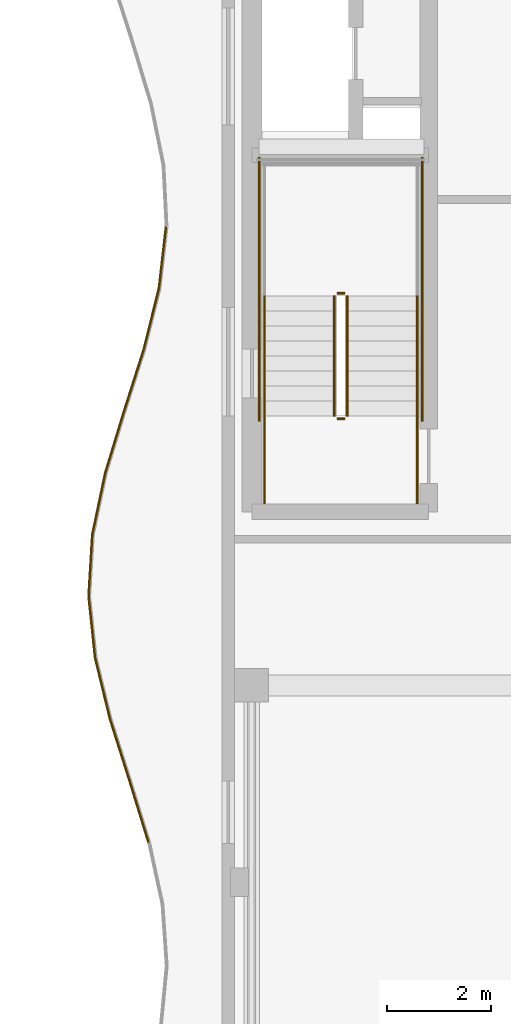
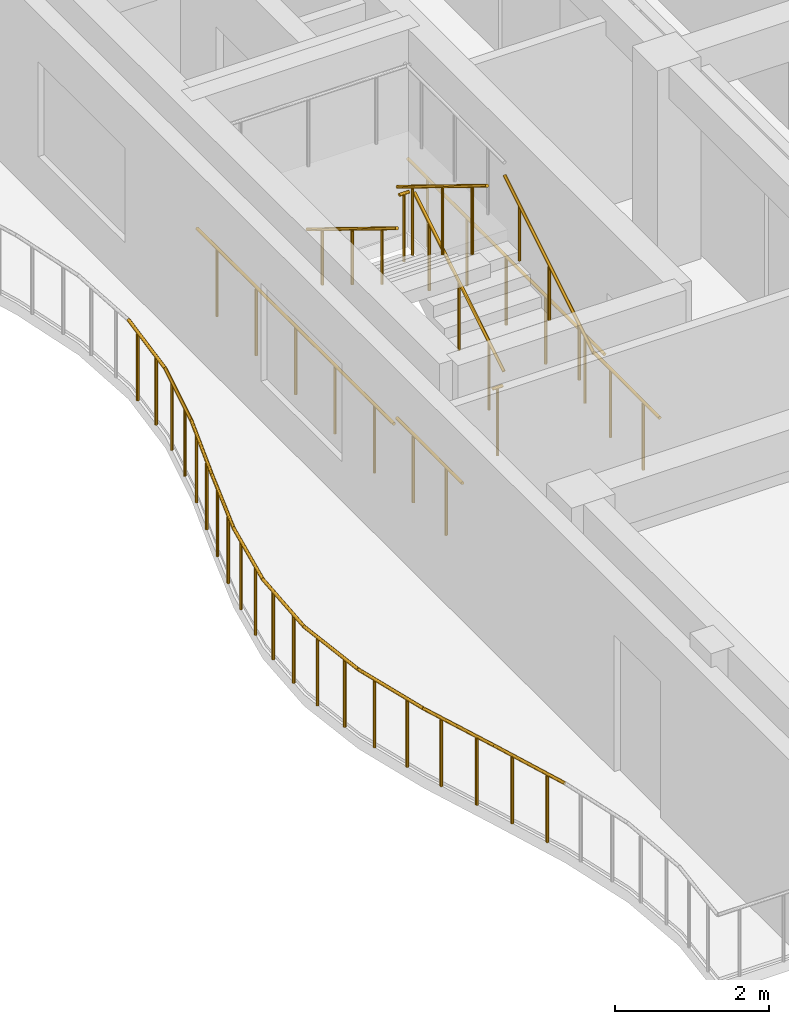
# One storey, part 67 of 89: 20 railings.
"""IFC4 building model written with IfcOpenShell, lengths in metres."""

from ifc_helpers import new_model, si_unit, direction, frame, origin, origin_2d, place, context, subcontext, project, spatial, circle, extrude, material, type_object, element, save


model = new_model("IFC4")

# Units and contexts
model_context = context("Model", 3, precision=1e-05, world=origin(), true_north=direction((0.0, 1.0)))
body_context = subcontext(model_context, "Body", "Model", "MODEL_VIEW")
ifc_project = project(units=[si_unit("LENGTHUNIT", "METRE"), si_unit("AREAUNIT", "SQUARE_METRE"), si_unit("VOLUMEUNIT", "CUBIC_METRE"), si_unit("PLANEANGLEUNIT", "RADIAN"), si_unit("MASSUNIT", "GRAM", prefix="KILO")], contexts=[model_context])

# Site, building, storey
site_placement = place(None, origin())
site = spatial("IfcSite", under=ifc_project, at=site_placement, CompositionType="ELEMENT")
building_placement = place(site_placement, origin())
building = spatial("IfcBuilding", under=site, at=building_placement, Name="Keldmere Railside Commons", CompositionType="ELEMENT")
storey_placement = place(building_placement, frame((0.0, 0.0, 7.360107421875)))
storey = spatial("IfcBuildingStorey", under=building, at=storey_placement, Name="L02", CompositionType="ELEMENT", Elevation=7.360107421875)

# Railings
ifc_material = material(Name="Steel F-24 (S235)", Category="steel")
railing_type_1 = type_object("IfcRailingType", Name="Balcony & Terrace Steel Balustrade 1100", PredefinedType="BALUSTRADE", material=ifc_material)
railing_1_placement = place(storey_placement, frame((46.458984375, 60.966796875, 0.0)))
element("IfcRailing", 1, at=railing_1_placement, inside=storey, type_object=railing_type_1, Name="GR-1 GRD-L02-0984", PredefinedType="BALUSTRADE", context=body_context, shape_type="SweptSolid", body=[
    extrude(circle(Radius=0.02392578125, at=origin_2d()), frame((0.0, 0.0, 1.076171875), z_axis=(-0.293878918588, 0.955842655048, 0.0), x_axis=(-0.955842655048, -0.293878918588, 0.0)), (0.0, 0.0, 1.0), 1.24365234375),
    extrude(circle(Radius=0.02099609375, at=origin_2d()), frame((-0.09130859375, 0.297119140625, 0.0)), (0.0, 0.0, 1.0), 1.048095703125),
    extrude(circle(Radius=0.02099609375, at=origin_2d()), frame((-0.274169921875, 0.8916015625, 0.0)), (0.0, 0.0, 1.0), 1.048095703125),
])
railing_2_placement = place(storey_placement, frame((46.093505859375, 62.155517578125, 0.0)))
element("IfcRailing", 2, at=railing_2_placement, inside=storey, type_object=railing_type_1, Name="GR-1 GRD-L02-0985", PredefinedType="BALUSTRADE", context=body_context, shape_type="SweptSolid", body=[
    extrude(circle(Radius=0.02392578125, at=origin_2d()), frame((0.0, 0.0, 1.076171875), z_axis=(-0.302039957934, 0.953295265807, 0.0), x_axis=(-0.953295265807, -0.302039957934, 0.0)), (0.0, 0.0, 1.0), 1.247314453125),
    extrude(circle(Radius=0.02099609375, at=origin_2d()), frame((-0.09423828125, 0.29736328125, 0.0)), (0.0, 0.0, 1.0), 1.048095703125),
    extrude(circle(Radius=0.02099609375, at=origin_2d()), frame((-0.282470703125, 0.8916015625, 0.0)), (0.0, 0.0, 1.0), 1.048095703125),
])
railing_3_placement = place(storey_placement, frame((45.716796875, 63.344482421875, 0.0)))
element("IfcRailing", 3, at=railing_3_placement, inside=storey, type_object=railing_type_1, Name="GR-1 GRD-L02-0986", PredefinedType="BALUSTRADE", context=body_context, shape_type="SweptSolid", body=[
    extrude(circle(Radius=0.02392578125, at=origin_2d()), frame((0.0, 0.0, 1.076171875), z_axis=(-0.236473788088, 0.971637868523, 0.0), x_axis=(-0.971637868523, -0.236473788088, 0.0)), (0.0, 0.0, 1.0), 1.223388671875),
    extrude(circle(Radius=0.02099609375, at=origin_2d()), frame((-0.072265625, 0.297119140625, 0.0)), (0.0, 0.0, 1.0), 1.048095703125),
    extrude(circle(Radius=0.02099609375, at=origin_2d()), frame((-0.217041015625, 0.8916015625, 0.0)), (0.0, 0.0, 1.0), 1.048095703125),
])
railing_4_placement = place(storey_placement, frame((45.427490234375, 64.533203125, 0.0)))
element("IfcRailing", 4, at=railing_4_placement, inside=storey, type_object=railing_type_1, Name="GR-1 GRD-L02-0987", PredefinedType="BALUSTRADE", context=body_context, shape_type="SweptSolid", body=[
    extrude(circle(Radius=0.02392578125, at=origin_2d()), frame((0.0, 0.0, 1.076171875), z_axis=(-0.104961155994, 0.994476322359, 0.0), x_axis=(-0.994476322359, -0.104961155994, 0.0)), (0.0, 0.0, 1.0), 1.195556640625),
    extrude(circle(Radius=0.02099609375, at=origin_2d()), frame((-0.03125, 0.29736328125, 0.0)), (0.0, 0.0, 1.0), 1.048095703125),
    extrude(circle(Radius=0.02099609375, at=origin_2d()), frame((-0.09423828125, 0.8916015625, 0.0)), (0.0, 0.0, 1.0), 1.048095703125),
])
railing_5_placement = place(storey_placement, frame((45.302001953125, 65.72216796875, 0.0)))
element("IfcRailing", 5, at=railing_5_placement, inside=storey, type_object=railing_type_1, Name="GR-1 GRD-L02-0988", PredefinedType="BALUSTRADE", context=body_context, shape_type="SweptSolid", body=[
    extrude(circle(Radius=0.02392578125, at=origin_2d()), frame((0.0, 0.0, 1.076171875), z_axis=(0.059851443588, 0.998207295455, 0.0), x_axis=(-0.998207295455, 0.059851443588, 0.0)), (0.0, 0.0, 1.0), 1.191162109375),
    extrude(circle(Radius=0.02099609375, at=origin_2d()), frame((0.017822265625, 0.29736328125, 0.0)), (0.0, 0.0, 1.0), 1.048095703125),
    extrude(circle(Radius=0.02099609375, at=origin_2d()), frame((0.053466796875, 0.8916015625, 0.0)), (0.0, 0.0, 1.0), 1.048095703125),
])
railing_6_placement = place(storey_placement, frame((45.373291015625, 66.9111328125, 0.0)))
element("IfcRailing", 6, at=railing_6_placement, inside=storey, type_object=railing_type_1, Name="GR-1 GRD-L02-0989", PredefinedType="BALUSTRADE", context=body_context, shape_type="SweptSolid", body=[
    extrude(circle(Radius=0.02392578125, at=origin_2d()), frame((0.0, 0.0, 1.076171875), z_axis=(0.205382501043, 0.9786817809, 0.0), x_axis=(-0.9786817809, 0.205382501043, 0.0)), (0.0, 0.0, 1.0), 1.21484375),
    extrude(circle(Radius=0.02099609375, at=origin_2d()), frame((0.0625, 0.29736328125, 0.0)), (0.0, 0.0, 1.0), 1.048095703125),
    extrude(circle(Radius=0.02099609375, at=origin_2d()), frame((0.18701171875, 0.8916015625, 0.0)), (0.0, 0.0, 1.0), 1.048095703125),
])
railing_7_placement = place(storey_placement, frame((45.622802734375, 68.10009765625, 0.0)))
element("IfcRailing", 7, at=railing_7_placement, inside=storey, type_object=railing_type_1, Name="GR-1 GRD-L02-0990", PredefinedType="BALUSTRADE", context=body_context, shape_type="SweptSolid", body=[
    extrude(circle(Radius=0.02392578125, at=origin_2d()), frame((0.0, 0.0, 1.076171875), z_axis=(0.291185071058, 0.956666741553, 0.0), x_axis=(-0.956666741553, 0.291185071058, 0.0)), (0.0, 0.0, 1.0), 1.24267578125),
    extrude(circle(Radius=0.02099609375, at=origin_2d()), frame((0.09033203125, 0.297119140625, 0.0)), (0.0, 0.0, 1.0), 1.048095703125),
    extrude(circle(Radius=0.02099609375, at=origin_2d()), frame((0.271484375, 0.8916015625, 0.0)), (0.0, 0.0, 1.0), 1.048095703125),
])
railing_8_placement = place(storey_placement, frame((45.984619140625, 69.288818359375, 0.0)))
element("IfcRailing", 8, at=railing_8_placement, inside=storey, type_object=railing_type_1, Name="GR-1 GRD-L02-0991", PredefinedType="BALUSTRADE", context=body_context, shape_type="SweptSolid", body=[
    extrude(circle(Radius=0.02392578125, at=origin_2d()), frame((0.0, 0.0, 1.076171875), z_axis=(0.303817285872, 0.952730316934, 0.0), x_axis=(-0.952730316934, 0.303817285872, 0.0)), (0.0, 0.0, 1.0), 1.248046875),
    extrude(circle(Radius=0.02099609375, at=origin_2d()), frame((0.0947265625, 0.29736328125, 0.0)), (0.0, 0.0, 1.0), 1.048095703125),
    extrude(circle(Radius=0.02099609375, at=origin_2d()), frame((0.284423828125, 0.8916015625, 0.0)), (0.0, 0.0, 1.0), 1.048095703125),
])
railing_9_placement = place(storey_placement, frame((46.36376953125, 70.477783203125, 0.0)))
element("IfcRailing", 9, at=railing_9_placement, inside=storey, type_object=railing_type_1, Name="GR-1 GRD-L02-0992", PredefinedType="BALUSTRADE", context=body_context, shape_type="SweptSolid", body=[
    extrude(circle(Radius=0.02392578125, at=origin_2d()), frame((0.0, 0.0, 1.076171875), z_axis=(0.241879244421, 0.970306359414, 0.0), x_axis=(-0.970306359414, 0.241879244421, 0.0)), (0.0, 0.0, 1.0), 1.225341796875),
    extrude(circle(Radius=0.02099609375, at=origin_2d()), frame((0.07421875, 0.29736328125, 0.0)), (0.0, 0.0, 1.0), 1.048095703125),
    extrude(circle(Radius=0.02099609375, at=origin_2d()), frame((0.22216796875, 0.8916015625, 0.0)), (0.0, 0.0, 1.0), 1.048095703125),
])
railing_10_placement = place(storey_placement, frame((46.66015625, 71.666748046875, 0.0)))
element("IfcRailing", 10, at=railing_10_placement, inside=storey, type_object=railing_type_1, Name="GR-1 GRD-L02-0993", PredefinedType="BALUSTRADE", context=body_context, shape_type="SweptSolid", body=[
    extrude(circle(Radius=0.02392578125, at=origin_2d()), frame((0.0, 0.0, 1.076171875), z_axis=(0.113632895821, 0.993522805469, 0.0), x_axis=(-0.993522805469, 0.113632895821, 0.0)), (0.0, 0.0, 1.0), 1.19677734375),
    extrude(circle(Radius=0.02099609375, at=origin_2d()), frame((0.033935546875, 0.29736328125, 0.0)), (0.0, 0.0, 1.0), 1.048095703125),
    extrude(circle(Radius=0.02099609375, at=origin_2d()), frame((0.10205078125, 0.8916015625, 0.0)), (0.0, 0.0, 1.0), 1.048095703125),
])
railing_type_2 = type_object("IfcRailingType", Name="Stair Well Steel Guardrail 1100", PredefinedType="BALUSTRADE", material=ifc_material)
railing_11_placement = place(storey_placement, frame((50.300048828125, 69.199951171875, 0.177734375)))
element("IfcRailing", 11, at=railing_11_placement, inside=storey, type_object=railing_type_2, Name="L02 ST-C1 stair guard 1", PredefinedType="BALUSTRADE", context=body_context, shape_type="SweptSolid", body=[
    extrude(circle(Radius=0.02392578125, at=origin_2d()), frame((0.0, 0.0, 1.076171875), z_axis=(0.0, 0.852578041948, 0.522599925744), x_axis=(-1.0, 0.0, 0.0)), (0.0, 0.0, 1.0), 2.72119140625),
    extrude(circle(Radius=0.02099609375, at=origin_2d()), frame((0.0, 0.38671875, 0.237060546875)), (0.0, 0.0, 1.0), 1.048095703125),
    extrude(circle(Radius=0.02099609375, at=origin_2d()), frame((0.0, 1.16015625, 0.7109375)), (0.0, 0.0, 1.0), 1.048095703125),
    extrude(circle(Radius=0.02099609375, at=origin_2d()), frame((0.0, 1.933349609375, 1.18505859375)), (0.0, 0.0, 1.0), 1.048095703125),
])
railing_12_placement = place(storey_placement, frame((50.25, 71.570068359375, 1.599853515625)))
element("IfcRailing", 12, at=railing_12_placement, inside=storey, type_object=railing_type_2, Name="L02 ST-C1 stair guard 2", PredefinedType="BALUSTRADE", context=body_context, shape_type="SweptSolid", body=[
    extrude(circle(Radius=0.02392578125, at=origin_2d()), frame((0.0, 0.0, 1.076171875), z_axis=(-1.0, 0.0, 0.0), x_axis=(0.0, -1.0, 0.0)), (0.0, 0.0, 1.0), 0.14990234375),
    extrude(circle(Radius=0.02099609375, at=origin_2d()), frame((-0.074951171875, 0.0, 0.0)), (0.0, 0.0, 1.0), 1.048095703125),
])
railing_13_placement = place(storey_placement, frame((50.050048828125, 71.52001953125, 1.777587890625)))
element("IfcRailing", 13, at=railing_13_placement, inside=storey, type_object=railing_type_2, Name="L02 ST-C1 stair guard 6", PredefinedType="BALUSTRADE", context=body_context, shape_type="SweptSolid", body=[
    extrude(circle(Radius=0.02392578125, at=origin_2d()), frame((0.0, 0.0, 1.076171875), z_axis=(0.0, -0.852538067394, 0.522665135287), x_axis=(1.0, 0.0, 0.0)), (0.0, 0.0, 1.0), 2.721435546875),
    extrude(circle(Radius=0.02099609375, at=origin_2d()), frame((0.0, -0.38671875, 0.237060546875)), (0.0, 0.0, 1.0), 1.048095703125),
    extrude(circle(Radius=0.02099609375, at=origin_2d()), frame((0.0, -1.16015625, 0.711181640625)), (0.0, 0.0, 1.0), 1.048095703125),
    extrude(circle(Radius=0.02099609375, at=origin_2d()), frame((0.0, -1.933349609375, 1.185302734375)), (0.0, 0.0, 1.0), 1.048095703125),
])
railing_14_placement = place(storey_placement, frame((50.25, 69.14990234375, 0.0)))
element("IfcRailing", 14, at=railing_14_placement, inside=storey, type_object=railing_type_2, Name="L02 ST-C1 stair guard 7", PredefinedType="BALUSTRADE", context=body_context, shape_type="SweptSolid", body=[
    extrude(circle(Radius=0.02392578125, at=origin_2d()), frame((0.0, 0.0, 1.076171875), z_axis=(-1.0, 0.0, 0.0), x_axis=(0.0, -1.0, 0.0)), (0.0, 0.0, 1.0), 0.14990234375),
    extrude(circle(Radius=0.02099609375, at=origin_2d()), frame((-0.074951171875, 0.0, 0.0)), (0.0, 0.0, 1.0), 1.048095703125),
])
for number, where, name in (
    (15, (51.64990234375, 67.5, 0.0), "L02 ST-C1 stair guard 8"),
    (16, (48.699951171875, 67.5, 0.0), "L02 ST-C1 stair guard 9"),
):
    element("IfcRailing", number, at=place(storey_placement, frame(where)), inside=storey, type_object=railing_type_2, Name=name, PredefinedType="BALUSTRADE", context=body_context, shape_type="SweptSolid", body=[
        extrude(circle(Radius=0.02392578125, at=origin_2d()), frame((0.0, 0.0, 1.076171875), z_axis=(0.0, 1.0, 0.0), x_axis=(-1.0, 0.0, 0.0)), (0.0, 0.0, 1.0), 1.699951171875),
        extrude(circle(Radius=0.02099609375, at=origin_2d()), frame((0.0, 0.425048828125, 0.0)), (0.0, 0.0, 1.0), 1.048095703125),
        extrude(circle(Radius=0.02099609375, at=origin_2d()), frame((0.0, 1.27490234375, 0.0)), (0.0, 0.0, 1.0), 1.048095703125),
    ])
for number, where, name in (
    (17, (51.75, 69.10009765625, 0.0), "L02 ST-C1 stair guard 10"),
    (18, (48.60009765625, 69.10009765625, 0.0), "L02 ST-C1 stair guard 11"),
):
    element("IfcRailing", number, at=place(storey_placement, frame(where)), inside=storey, type_object=railing_type_2, Name=name, PredefinedType="BALUSTRADE", context=body_context, shape_type="SweptSolid", body=[
        extrude(circle(Radius=0.02392578125, at=origin_2d()), frame((0.0, 0.0, 1.076171875), z_axis=(0.0, 1.0, 0.0), x_axis=(-1.0, 0.0, 0.0)), (0.0, 0.0, 1.0), 5.099853515625),
        extrude(circle(Radius=0.02099609375, at=origin_2d()), frame((0.0, 0.510009765625, 0.0)), (0.0, 0.0, 1.0), 1.048095703125),
        extrude(circle(Radius=0.02099609375, at=origin_2d()), frame((0.0, 1.530029296875, 0.0)), (0.0, 0.0, 1.0), 1.048095703125),
        extrude(circle(Radius=0.02099609375, at=origin_2d()), frame((0.0, 2.5498046875, 0.0)), (0.0, 0.0, 1.0), 1.048095703125),
        extrude(circle(Radius=0.02099609375, at=origin_2d()), frame((0.0, 3.56982421875, 0.0)), (0.0, 0.0, 1.0), 1.048095703125),
        extrude(circle(Radius=0.02099609375, at=origin_2d()), frame((0.0, 4.58984375, 0.0)), (0.0, 0.0, 1.0), 1.048095703125),
    ])
railing_type_3 = type_object("IfcRailingType", Name="Wall-Mounted Tubular Steel Handrail 900", PredefinedType="HANDRAIL", material=ifc_material)
railing_15_placement = place(storey_placement, frame((51.64990234375, 69.199951171875, 0.177734375)))
element("IfcRailing", 19, at=railing_15_placement, inside=storey, type_object=railing_type_3, Name="L02 ST-C1 stair handrail 1", PredefinedType="HANDRAIL", context=body_context, shape_type="SweptSolid", body=[
    extrude(circle(Radius=0.02392578125, at=origin_2d()), frame((0.0, 0.0, 0.8759765625), z_axis=(0.0, 0.852578041948, 0.522599925744), x_axis=(-1.0, 0.0, 0.0)), (0.0, 0.0, 1.0), 2.72119140625),
    extrude(circle(Radius=0.02099609375, at=origin_2d()), frame((0.0, 0.38671875, 0.237060546875)), (0.0, 0.0, 1.0), 0.847900390625),
    extrude(circle(Radius=0.02099609375, at=origin_2d()), frame((0.0, 1.16015625, 0.7109375)), (0.0, 0.0, 1.0), 0.847900390625),
    extrude(circle(Radius=0.02099609375, at=origin_2d()), frame((0.0, 1.933349609375, 1.18505859375)), (0.0, 0.0, 1.0), 0.847900390625),
])
railing_16_placement = place(storey_placement, frame((48.699951171875, 71.52001953125, 1.777587890625)))
element("IfcRailing", 20, at=railing_16_placement, inside=storey, type_object=railing_type_3, Name="L02 ST-C1 stair handrail 2", PredefinedType="HANDRAIL", context=body_context, shape_type="SweptSolid", body=[
    extrude(circle(Radius=0.02392578125, at=origin_2d()), frame((0.0, 0.0, 0.8759765625), z_axis=(0.0, -0.852538067394, 0.522665135287), x_axis=(1.0, 0.0, 0.0)), (0.0, 0.0, 1.0), 2.721435546875),
    extrude(circle(Radius=0.02099609375, at=origin_2d()), frame((0.0, -0.38671875, 0.237060546875)), (0.0, 0.0, 1.0), 0.847900390625),
    extrude(circle(Radius=0.02099609375, at=origin_2d()), frame((0.0, -1.16015625, 0.711181640625)), (0.0, 0.0, 1.0), 0.847900390625),
    extrude(circle(Radius=0.02099609375, at=origin_2d()), frame((0.0, -1.933349609375, 1.185302734375)), (0.0, 0.0, 1.0), 0.847900390625),
])

save(model, "model.ifc")
